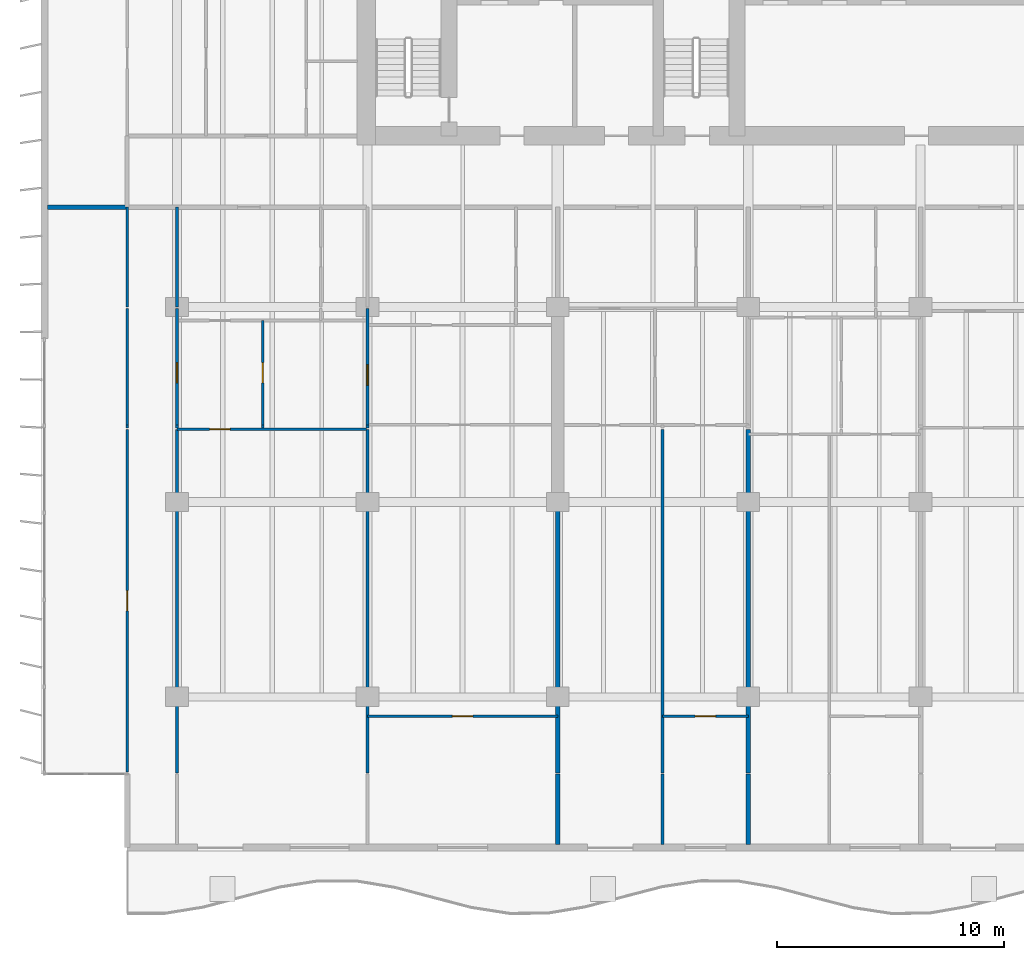
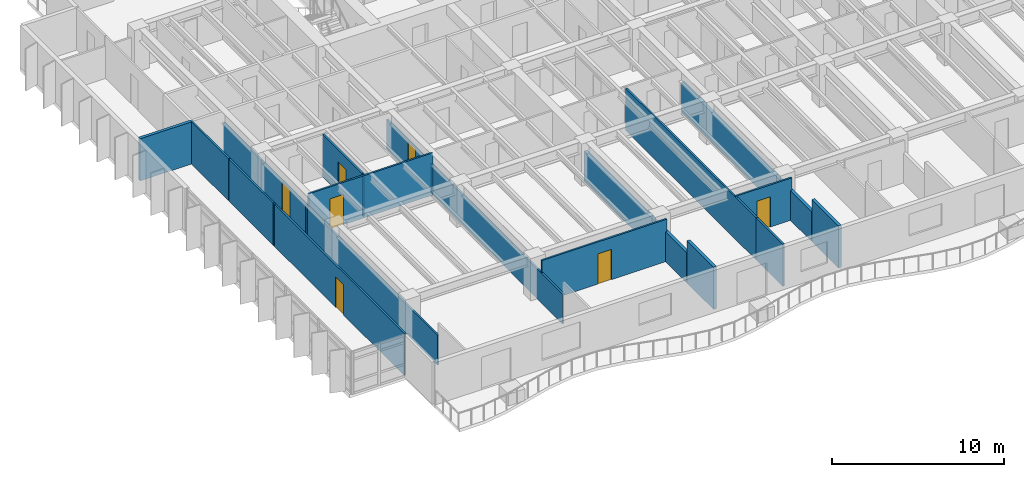
# One storey, part 6 of 19: 23 walls, 7 doors, 7 openings.
"""IFC4 building model written with IfcOpenShell, lengths in metres."""

from ifc_helpers import new_model, si_unit, direction, frame, frame_2d, origin, place, context, subcontext, project, spatial, rectangle, extrude, material, layer, layer_set, type_object, element, fill, save


model = new_model("IFC4")

# Units and contexts
model_context = context("Model", 3, precision=1e-05, world=origin(), true_north=direction((0.0, 1.0)))
body_context = subcontext(model_context, "Body", "Model", "MODEL_VIEW")
ifc_project = project(units=[si_unit("LENGTHUNIT", "METRE"), si_unit("AREAUNIT", "SQUARE_METRE"), si_unit("VOLUMEUNIT", "CUBIC_METRE"), si_unit("PLANEANGLEUNIT", "RADIAN"), si_unit("MASSUNIT", "GRAM", prefix="KILO")], contexts=[model_context])

# Site, building, storey
site_placement = place(None, origin())
site = spatial("IfcSite", under=ifc_project, at=site_placement, CompositionType="ELEMENT")
building_placement = place(site_placement, origin())
building = spatial("IfcBuilding", under=site, at=building_placement, Name="Caelmar Bay Residences", CompositionType="ELEMENT")
storey_placement = place(building_placement, frame((0.0, 0.0, 94.5)))
storey = spatial("IfcBuildingStorey", under=building, at=storey_placement, Name="L25", CompositionType="ELEMENT", Elevation=94.5)

# Wall, opening, door
ifc_material_1 = material(Name="Acoustic metal-stud gypsum partition 120 mm")
ifc_layer_1 = layer(ifc_material_1, 0.1201171875)
ifc_layer_set_1 = layer_set([ifc_layer_1], Name="Acoustic metal-stud gypsum partition 120 mm")
wall_type_1 = type_object("IfcWallType", Name="W-PRT-120", PredefinedType="PARTITIONING", material=ifc_layer_set_1)
wall_1_placement = place(storey_placement, frame((7.699951171875, 8.885009765625, 0.0), z_axis=(0.0, 0.0, 1.0), x_axis=(0.0, 1.0, 0.0)))
wall_1 = element("IfcWall", 1, at=wall_1_placement, inside=storey, type_object=wall_type_1, Name="L25 Partition Wall V001", PredefinedType="PARTITIONING", context=body_context, shape_type="SweptSolid", body=[
    extrude(rectangle(XDim=15.114990234375, YDim=0.1201171875, at=frame_2d((7.5576171875, 0.0))), origin(), (0.0, 0.0, 1.0), 3.0),
])
opening_1_placement = place(wall_1_placement, frame((7.107421875, 0.0, 0.0)))
opening_1 = element("IfcOpeningElement", 2, at=opening_1_placement, cuts=wall_1, Name="Opening D-L25-162", PredefinedType="OPENING", context=body_context, shape_type="SweptSolid", body=[
    extrude(rectangle(XDim=0.89990234375, YDim=2.14990234375, at=frame_2d((0.449951171875, 1.074951171875))), frame((0.0, 0.070068359375, 0.0), z_axis=(0.0, -1.0, 0.0), x_axis=(1.0, 0.0, 0.0)), (0.0, 0.0, 1.0), 0.14013671875),
])
ifc_material_2 = material(Name="Solid walnut timber interior door leaf and frame", Category="wood")
ifc_layer_2 = layer(ifc_material_2, 0.050048828125)
ifc_layer_set_2 = layer_set([ifc_layer_2], Name="Solid walnut timber interior door leaf and frame")
door_type = type_object("IfcDoorType", Name="D-ROOM-900", OperationType="NOTDEFINED", PredefinedType="DOOR", material=ifc_layer_set_2)
door_1_placement = place(opening_1_placement, origin())
door_1 = element("IfcDoor", 3, at=door_1_placement, inside=storey, type_object=door_type, Name="L25 Residence 01 Penthouse West Salon Door", OperationType="SINGLE_SWING_LEFT", OverallHeight=2.14990234375, OverallWidth=0.89990234375, PredefinedType="DOOR", context=body_context, shape_type="SweptSolid", body=[
    extrude(rectangle(XDim=0.89990234375, YDim=2.14990234375, at=frame_2d((0.449951171875, 1.074951171875))), frame((0.0, 0.02490234375, 0.0), z_axis=(0.0, -1.0, 0.0), x_axis=(1.0, 0.0, 0.0)), (0.0, 0.0, 1.0), 0.050048828125),
])
fill(opening_1, door_1)

# Walls
wall_2_placement = place(storey_placement, frame((7.699951171875, 24.070068359375, 0.0), z_axis=(0.0, 0.0, 1.0), x_axis=(0.0, 1.0, 0.0)))
element("IfcWall", 4, at=wall_2_placement, inside=storey, type_object=wall_type_1, Name="L25 Partition Wall V002", PredefinedType="PARTITIONING", context=body_context, shape_type="SweptSolid", body=[
    extrude(rectangle(XDim=0.119873046875, YDim=0.1201171875, at=frame_2d((0.06005859375, 0.0))), origin(), (0.0, 0.0, 1.0), 3.0),
])
wall_3_placement = place(storey_placement, frame((7.699951171875, 24.199951171875, 0.0), z_axis=(0.0, 0.0, 1.0), x_axis=(0.0, 1.0, 0.0)))
element("IfcWall", 5, at=wall_3_placement, inside=storey, type_object=wall_type_1, Name="L25 Partition Wall V003", PredefinedType="PARTITIONING", context=body_context, shape_type="SweptSolid", body=[
    extrude(rectangle(XDim=5.14013671875, YDim=0.1201171875, at=frame_2d((2.570068359375, 0.0))), origin(), (0.0, 0.0, 1.0), 3.0),
])
wall_4_placement = place(storey_placement, frame((7.699951171875, 29.39990234375, 0.0), z_axis=(0.0, 0.0, 1.0), x_axis=(0.0, 1.0, 0.0)))
element("IfcWall", 6, at=wall_4_placement, inside=storey, type_object=wall_type_1, Name="L25 Partition Wall V004", PredefinedType="PARTITIONING", context=body_context, shape_type="SweptSolid", body=[
    extrude(rectangle(XDim=4.400146484375, YDim=0.1201171875, at=frame_2d((2.2001953125, 0.0))), origin(), (0.0, 0.0, 1.0), 3.0),
])
wall_5_placement = place(storey_placement, frame((9.89990234375, 8.840087890625, 0.0), z_axis=(0.0, 0.0, 1.0), x_axis=(0.0, 1.0, 0.0)))
element("IfcWall", 7, at=wall_5_placement, inside=storey, type_object=wall_type_1, Name="L25 Partition Wall V009", PredefinedType="PARTITIONING", context=body_context, shape_type="SweptSolid", body=[
    extrude(rectangle(XDim=15.159912109375, YDim=0.1201171875, at=frame_2d((7.580078125, 0.0))), origin(), (0.0, 0.0, 1.0), 2.1240234375),
])
wall_6_placement = place(storey_placement, frame((9.89990234375, 24.070068359375, 0.0), z_axis=(0.0, 0.0, 1.0), x_axis=(0.0, 1.0, 0.0)))
element("IfcWall", 8, at=wall_6_placement, inside=storey, type_object=wall_type_1, Name="L25 Partition Wall V010", PredefinedType="PARTITIONING", context=body_context, shape_type="SweptSolid", body=[
    extrude(rectangle(XDim=0.119873046875, YDim=0.1201171875, at=frame_2d((0.06005859375, 0.0))), origin(), (0.0, 0.0, 1.0), 2.1240234375),
])

# Wall, opening, door
wall_7_placement = place(storey_placement, frame((9.89990234375, 24.199951171875, 0.0), z_axis=(0.0, 0.0, 1.0), x_axis=(0.0, 1.0, 0.0)))
wall_7 = element("IfcWall", 9, at=wall_7_placement, inside=storey, type_object=wall_type_1, Name="L25 Partition Wall V011", PredefinedType="PARTITIONING", context=body_context, shape_type="SweptSolid", body=[
    extrude(rectangle(XDim=5.14013671875, YDim=0.1201171875, at=frame_2d((2.570068359375, 0.0))), origin(), (0.0, 0.0, 1.0), 2.1240234375),
])
opening_2_placement = place(wall_7_placement, frame((1.85009765625, 0.0, 0.0)))
opening_2 = element("IfcOpeningElement", 10, at=opening_2_placement, cuts=wall_7, Name="Opening D-L25-129", PredefinedType="OPENING", context=body_context, shape_type="SweptSolid", body=[
    extrude(rectangle(XDim=0.89990234375, YDim=2.073974609375, at=frame_2d((0.449951171875, 1.037109375))), frame((0.0, 0.070068359375, 0.0), z_axis=(0.0, -1.0, 0.0), x_axis=(1.0, 0.0, 0.0)), (0.0, 0.0, 1.0), 0.14013671875),
])
door_2_placement = place(opening_2_placement, origin())
door_2 = element("IfcDoor", 11, at=door_2_placement, inside=storey, type_object=door_type, Name="L25 Residence 01 West Apartment Hall Door", OperationType="SINGLE_SWING_RIGHT", OverallHeight=2.073974609375, OverallWidth=0.89990234375, PredefinedType="DOOR", context=body_context, shape_type="SweptSolid", body=[
    extrude(rectangle(XDim=0.89990234375, YDim=2.073974609375, at=frame_2d((0.449951171875, 1.037109375))), frame((0.0, 0.02490234375, 0.0), z_axis=(0.0, -1.0, 0.0), x_axis=(1.0, 0.0, 0.0)), (0.0, 0.0, 1.0), 0.050048828125),
])
fill(opening_2, door_2)

# Walls
wall_8_placement = place(storey_placement, frame((9.89990234375, 29.39990234375, 0.0), z_axis=(0.0, 0.0, 1.0), x_axis=(0.0, 1.0, 0.0)))
element("IfcWall", 12, at=wall_8_placement, inside=storey, type_object=wall_type_1, Name="L25 Partition Wall V012", PredefinedType="PARTITIONING", context=body_context, shape_type="SweptSolid", body=[
    extrude(rectangle(XDim=4.400146484375, YDim=0.1201171875, at=frame_2d((2.2001953125, 0.0))), origin(), (0.0, 0.0, 1.0), 2.1240234375),
])
wall_9_placement = place(storey_placement, frame((13.679931640625, 24.070068359375, 0.0), z_axis=(0.0, 0.0, 1.0), x_axis=(0.0, 1.0, 0.0)))
element("IfcWall", 13, at=wall_9_placement, inside=storey, type_object=wall_type_1, Name="L25 Partition Wall V014", PredefinedType="PARTITIONING", context=body_context, shape_type="SweptSolid", body=[
    extrude(rectangle(XDim=0.119873046875, YDim=0.1201171875, at=frame_2d((0.06005859375, 0.0))), origin(), (0.0, 0.0, 1.0), 3.0),
])

# Wall, opening, door
wall_10_placement = place(storey_placement, frame((13.679931640625, 24.199951171875, 0.0), z_axis=(0.0, 0.0, 1.0), x_axis=(0.0, 1.0, 0.0)))
wall_10 = element("IfcWall", 14, at=wall_10_placement, inside=storey, type_object=wall_type_1, Name="L25 Partition Wall V015", PredefinedType="PARTITIONING", context=body_context, shape_type="SweptSolid", body=[
    extrude(rectangle(XDim=4.60009765625, YDim=0.1201171875, at=frame_2d((2.300048828125, 0.0))), origin(), (0.0, 0.0, 1.0), 3.0),
])
opening_3_placement = place(wall_10_placement, frame((1.85009765625, 0.0, 0.0)))
opening_3 = element("IfcOpeningElement", 15, at=opening_3_placement, cuts=wall_10, Name="Opening D-L25-122", PredefinedType="OPENING", context=body_context, shape_type="SweptSolid", body=[
    extrude(rectangle(XDim=0.89990234375, YDim=2.14990234375, at=frame_2d((0.449951171875, 1.074951171875))), frame((0.0, 0.070068359375, 0.0), z_axis=(0.0, -1.0, 0.0), x_axis=(1.0, 0.0, 0.0)), (0.0, 0.0, 1.0), 0.14013671875),
])
door_3_placement = place(opening_3_placement, origin())
door_3 = element("IfcDoor", 16, at=door_3_placement, inside=storey, type_object=door_type, Name="L25 Residence 01 Kitchen Door", OperationType="SINGLE_SWING_LEFT", OverallHeight=2.14990234375, OverallWidth=0.89990234375, PredefinedType="DOOR", context=body_context, shape_type="SweptSolid", body=[
    extrude(rectangle(XDim=0.89990234375, YDim=2.14990234375, at=frame_2d((0.449951171875, 1.074951171875))), frame((0.0, 0.02490234375, 0.0), z_axis=(0.0, -1.0, 0.0), x_axis=(1.0, 0.0, 0.0)), (0.0, 0.0, 1.0), 0.050048828125),
])
fill(opening_3, door_3)

# Walls
wall_11_placement = place(storey_placement, frame((18.300048828125, 8.840087890625, 0.0), z_axis=(0.0, 0.0, 1.0), x_axis=(0.0, 1.0, 0.0)))
element("IfcWall", 17, at=wall_11_placement, inside=storey, type_object=wall_type_1, Name="L25 Partition Wall V020", PredefinedType="PARTITIONING", context=body_context, shape_type="SweptSolid", body=[
    extrude(rectangle(XDim=15.159912109375, YDim=0.1201171875, at=frame_2d((7.580078125, 0.0))), origin(), (0.0, 0.0, 1.0), 2.1240234375),
])
wall_12_placement = place(storey_placement, frame((18.300048828125, 24.070068359375, 0.0), z_axis=(0.0, 0.0, 1.0), x_axis=(0.0, 1.0, 0.0)))
element("IfcWall", 18, at=wall_12_placement, inside=storey, type_object=wall_type_1, Name="L25 Partition Wall V021", PredefinedType="PARTITIONING", context=body_context, shape_type="SweptSolid", body=[
    extrude(rectangle(XDim=0.119873046875, YDim=0.1201171875, at=frame_2d((0.06005859375, 0.0))), origin(), (0.0, 0.0, 1.0), 2.1240234375),
])

# Wall, opening, door
wall_13_placement = place(storey_placement, frame((18.300048828125, 24.199951171875, 0.0), z_axis=(0.0, 0.0, 1.0), x_axis=(0.0, 1.0, 0.0)))
wall_13 = element("IfcWall", 19, at=wall_13_placement, inside=storey, type_object=wall_type_1, Name="L25 Partition Wall V022", PredefinedType="PARTITIONING", context=body_context, shape_type="SweptSolid", body=[
    extrude(rectangle(XDim=5.14013671875, YDim=0.1201171875, at=frame_2d((2.570068359375, 0.0))), origin(), (0.0, 0.0, 1.0), 2.1240234375),
])
opening_4_placement = place(wall_13_placement, frame((1.75, 0.0, 0.0)))
opening_4 = element("IfcOpeningElement", 20, at=opening_4_placement, cuts=wall_13, Name="Opening D-L25-124", PredefinedType="OPENING", context=body_context, shape_type="SweptSolid", body=[
    extrude(rectangle(XDim=0.89990234375, YDim=2.073974609375, at=frame_2d((0.449951171875, 1.037109375))), frame((0.0, 0.070068359375, 0.0), z_axis=(0.0, -1.0, 0.0), x_axis=(1.0, 0.0, 0.0)), (0.0, 0.0, 1.0), 0.14013671875),
])
door_4_placement = place(opening_4_placement, origin())
door_4 = element("IfcDoor", 21, at=door_4_placement, inside=storey, type_object=door_type, Name="L25 Residence 01 Library Study 1 Door", OperationType="SINGLE_SWING_LEFT", OverallHeight=2.073974609375, OverallWidth=0.89990234375, PredefinedType="DOOR", context=body_context, shape_type="SweptSolid", body=[
    extrude(rectangle(XDim=0.89990234375, YDim=2.073974609375, at=frame_2d((0.449951171875, 1.037109375))), frame((0.0, 0.02490234375, 0.0), z_axis=(0.0, -1.0, 0.0), x_axis=(1.0, 0.0, 0.0)), (0.0, 0.0, 1.0), 0.050048828125),
])
fill(opening_4, door_4)

# Walls
wall_14_placement = place(storey_placement, frame((31.320068359375, 5.695068359375, 0.0), z_axis=(0.0, 0.0, 1.0), x_axis=(0.0, 1.0, 0.0)))
element("IfcWall", 22, at=wall_14_placement, inside=storey, type_object=wall_type_1, Name="L25 Partition Wall V034", PredefinedType="PARTITIONING", context=body_context, shape_type="SweptSolid", body=[
    extrude(rectangle(XDim=3.10498046875, YDim=0.1201171875, at=frame_2d((1.552490234375, 0.0))), origin(), (0.0, 0.0, 1.0), 3.0),
])
wall_15_placement = place(storey_placement, frame((31.320068359375, 8.840087890625, 0.0), z_axis=(0.0, 0.0, 1.0), x_axis=(0.0, 1.0, 0.0)))
element("IfcWall", 23, at=wall_15_placement, inside=storey, type_object=wall_type_1, Name="L25 Partition Wall V035", PredefinedType="PARTITIONING", context=body_context, shape_type="SweptSolid", body=[
    extrude(rectangle(XDim=15.159912109375, YDim=0.1201171875, at=frame_2d((7.580078125, 0.0))), origin(), (0.0, 0.0, 1.0), 3.0),
])

# Wall, opening, door
wall_16_placement = place(storey_placement, frame((18.300048828125, 11.35009765625, 0.0), z_axis=(0.0, 0.0, 1.0), x_axis=(1.0, 0.0, 0.0)))
wall_16 = element("IfcWall", 24, at=wall_16_placement, inside=storey, type_object=wall_type_1, Name="L25 Partition Wall H099", PredefinedType="PARTITIONING", context=body_context, shape_type="SweptSolid", body=[
    extrude(rectangle(XDim=8.39990234375, YDim=0.1201171875, at=frame_2d((4.199951171875, 0.0))), origin(), (0.0, 0.0, 1.0), 3.0),
])
opening_5_placement = place(wall_16_placement, frame((3.75, 0.0, 0.0)))
opening_5 = element("IfcOpeningElement", 25, at=opening_5_placement, cuts=wall_16, Name="Opening D-L25-128", PredefinedType="OPENING", context=body_context, shape_type="SweptSolid", body=[
    extrude(rectangle(XDim=0.89990234375, YDim=2.14990234375, at=frame_2d((0.449951171875, 1.074951171875))), frame((0.0, 0.070068359375, 0.0), z_axis=(0.0, -1.0, 0.0), x_axis=(1.0, 0.0, 0.0)), (0.0, 0.0, 1.0), 0.14013671875),
])
door_5_placement = place(opening_5_placement, origin())
door_5 = element("IfcDoor", 26, at=door_5_placement, inside=storey, type_object=door_type, Name="L25 Residence 01 Primary Bedroom 1 Door", OperationType="SINGLE_SWING_LEFT", OverallHeight=2.14990234375, OverallWidth=0.89990234375, PredefinedType="DOOR", context=body_context, shape_type="SweptSolid", body=[
    extrude(rectangle(XDim=0.89990234375, YDim=2.14990234375, at=frame_2d((0.449951171875, 1.074951171875))), frame((0.0, 0.02490234375, 0.0), z_axis=(0.0, -1.0, 0.0), x_axis=(1.0, 0.0, 0.0)), (0.0, 0.0, 1.0), 0.050048828125),
])
fill(opening_5, door_5)

wall_17_placement = place(storey_placement, frame((31.320068359375, 11.35009765625, 0.0), z_axis=(0.0, 0.0, 1.0), x_axis=(1.0, 0.0, 0.0)))
wall_17 = element("IfcWall", 27, at=wall_17_placement, inside=storey, type_object=wall_type_1, Name="L25 Partition Wall H100", PredefinedType="PARTITIONING", context=body_context, shape_type="SweptSolid", body=[
    extrude(rectangle(XDim=3.780029296875, YDim=0.1201171875, at=frame_2d((1.89013671875, 0.0))), origin(), (0.0, 0.0, 1.0), 3.0),
])
opening_6_placement = place(wall_17_placement, frame((1.43994140625, 0.0, 0.0)))
opening_6 = element("IfcOpeningElement", 28, at=opening_6_placement, cuts=wall_17, Name="Opening D-L25-136", PredefinedType="OPENING", context=body_context, shape_type="SweptSolid", body=[
    extrude(rectangle(XDim=0.89990234375, YDim=2.14990234375, at=frame_2d((0.449951171875, 1.074951171875))), frame((0.0, 0.070068359375, 0.0), z_axis=(0.0, -1.0, 0.0), x_axis=(1.0, 0.0, 0.0)), (0.0, 0.0, 1.0), 0.14013671875),
])
door_6_placement = place(opening_6_placement, origin())
door_6 = element("IfcDoor", 29, at=door_6_placement, inside=storey, type_object=door_type, Name="L25 Residence 02 Primary Bedroom Door", OperationType="SINGLE_SWING_LEFT", OverallHeight=2.14990234375, OverallWidth=0.89990234375, PredefinedType="DOOR", context=body_context, shape_type="SweptSolid", body=[
    extrude(rectangle(XDim=0.89990234375, YDim=2.14990234375, at=frame_2d((0.449951171875, 1.074951171875))), frame((0.0, 0.02490234375, 0.0), z_axis=(0.0, -1.0, 0.0), x_axis=(1.0, 0.0, 0.0)), (0.0, 0.0, 1.0), 0.050048828125),
])
fill(opening_6, door_6)

wall_18_placement = place(storey_placement, frame((9.89990234375, 24.0, 0.0), z_axis=(0.0, 0.0, 1.0), x_axis=(1.0, 0.0, 0.0)))
wall_18 = element("IfcWall", 30, at=wall_18_placement, inside=storey, type_object=wall_type_1, Name="L25 Partition Wall H105", PredefinedType="PARTITIONING", context=body_context, shape_type="SweptSolid", body=[
    extrude(rectangle(XDim=8.35009765625, YDim=0.1201171875, at=frame_2d((4.175048828125, 0.0))), origin(), (0.0, 0.0, 1.0), 3.0),
])
opening_7_placement = place(wall_18_placement, frame((1.43994140625, 0.0, 0.0)))
opening_7 = element("IfcOpeningElement", 31, at=opening_7_placement, cuts=wall_18, Name="Opening D-L25-123", PredefinedType="OPENING", context=body_context, shape_type="SweptSolid", body=[
    extrude(rectangle(XDim=0.89990234375, YDim=2.14990234375, at=frame_2d((0.449951171875, 1.074951171875))), frame((0.0, 0.070068359375, 0.0), z_axis=(0.0, -1.0, 0.0), x_axis=(1.0, 0.0, 0.0)), (0.0, 0.0, 1.0), 0.14013671875),
])
door_7_placement = place(opening_7_placement, origin())
door_7 = element("IfcDoor", 32, at=door_7_placement, inside=storey, type_object=door_type, Name="L25 Residence 01 Penthouse Living Salon Door", OperationType="SINGLE_SWING_RIGHT", OverallHeight=2.14990234375, OverallWidth=0.89990234375, PredefinedType="DOOR", context=body_context, shape_type="SweptSolid", body=[
    extrude(rectangle(XDim=0.89990234375, YDim=2.14990234375, at=frame_2d((0.449951171875, 1.074951171875))), frame((0.0, 0.02490234375, 0.0), z_axis=(0.0, -1.0, 0.0), x_axis=(1.0, 0.0, 0.0)), (0.0, 0.0, 1.0), 0.050048828125),
])
fill(opening_7, door_7)

# Walls
ifc_material_3 = material(Name="Acoustic twin-stud fire-rated inter-tenancy partition 200 mm")
ifc_layer_3 = layer(ifc_material_3, 0.199951171875)
ifc_layer_set_3 = layer_set([ifc_layer_3], Name="Acoustic twin-stud fire-rated inter-tenancy partition 200 mm")
wall_type_2 = type_object("IfcWallType", Name="W-PTY-200", PredefinedType="PARTITIONING", material=ifc_layer_set_3)
wall_19_placement = place(storey_placement, frame((26.699951171875, 5.695068359375, 0.0), z_axis=(0.0, 0.0, 1.0), x_axis=(0.0, 1.0, 0.0)))
element("IfcWall", 33, at=wall_19_placement, inside=storey, type_object=wall_type_2, Name="L25 Partition Wall V028", PredefinedType="PARTITIONING", context=body_context, shape_type="SweptSolid", body=[
    extrude(rectangle(XDim=3.10498046875, YDim=0.199951171875, at=frame_2d((1.552490234375, 0.0))), origin(), (0.0, 0.0, 1.0), 3.0),
])
wall_20_placement = place(storey_placement, frame((26.699951171875, 8.840087890625, 0.0), z_axis=(0.0, 0.0, 1.0), x_axis=(0.0, 1.0, 0.0)))
element("IfcWall", 34, at=wall_20_placement, inside=storey, type_object=wall_type_2, Name="L25 Partition Wall V029", PredefinedType="PARTITIONING", context=body_context, shape_type="SweptSolid", body=[
    extrude(rectangle(XDim=11.954833984375, YDim=0.199951171875, at=frame_2d((5.9775390625, 0.0))), origin(), (0.0, 0.0, 1.0), 2.1240234375),
])
wall_21_placement = place(storey_placement, frame((35.10009765625, 5.695068359375, 0.0), z_axis=(0.0, 0.0, 1.0), x_axis=(0.0, 1.0, 0.0)))
element("IfcWall", 35, at=wall_21_placement, inside=storey, type_object=wall_type_2, Name="L25 Partition Wall V038", PredefinedType="PARTITIONING", context=body_context, shape_type="SweptSolid", body=[
    extrude(rectangle(XDim=3.10498046875, YDim=0.199951171875, at=frame_2d((1.552490234375, 0.0))), origin(), (0.0, 0.0, 1.0), 3.0),
])
wall_22_placement = place(storey_placement, frame((35.10009765625, 8.840087890625, 0.0), z_axis=(0.0, 0.0, 1.0), x_axis=(0.0, 1.0, 0.0)))
element("IfcWall", 36, at=wall_22_placement, inside=storey, type_object=wall_type_2, Name="L25 Partition Wall V039", PredefinedType="PARTITIONING", context=body_context, shape_type="SweptSolid", body=[
    extrude(rectangle(XDim=15.159912109375, YDim=0.199951171875, at=frame_2d((7.580078125, 0.0))), origin(), (0.0, 0.0, 1.0), 2.1240234375),
])
wall_23_placement = place(storey_placement, frame((4.195068359375, 33.800048828125, 0.0), z_axis=(0.0, 0.0, 1.0), x_axis=(1.0, 0.0, 0.0)))
element("IfcWall", 37, at=wall_23_placement, inside=storey, type_object=wall_type_2, Name="L25 Partition Wall H118", PredefinedType="PARTITIONING", context=body_context, shape_type="SweptSolid", body=[
    extrude(rectangle(XDim=3.5048828125, YDim=0.199951171875, at=frame_2d((1.75244140625, 0.0))), origin(), (0.0, 0.0, 1.0), 3.0),
])

save(model, "model.ifc")
